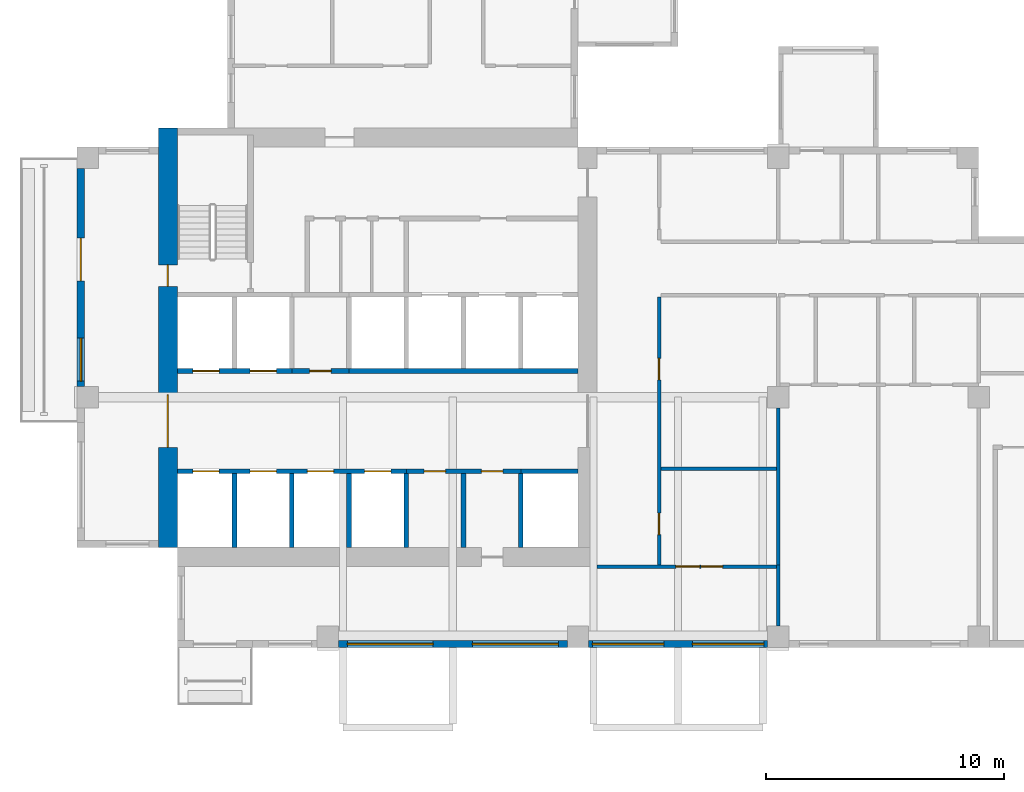
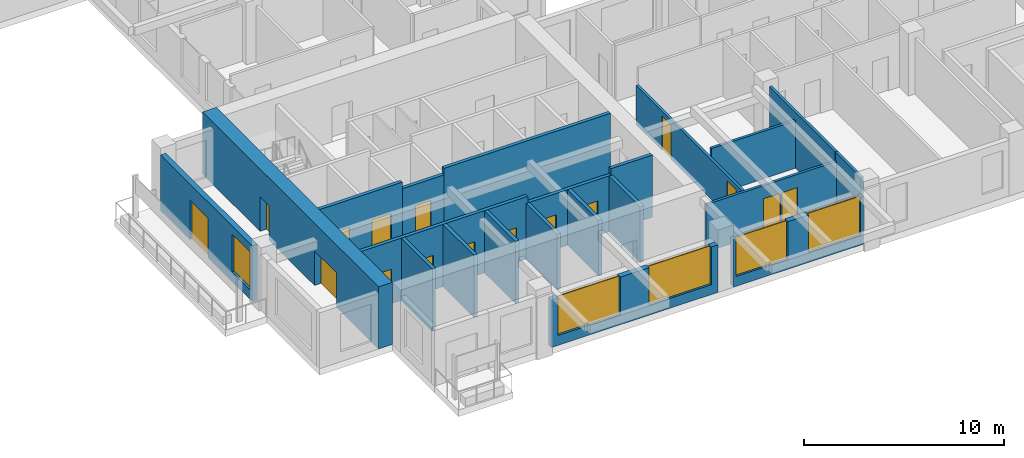
# One storey, part 2 of 12: 21 walls, 16 doors, 5 windows, 21 openings.
"""IFC4 building model written with IfcOpenShell, lengths in metres."""

from ifc_helpers import new_model, si_unit, direction, frame, frame_2d, origin, place, context, subcontext, project, spatial, rectangle, extrude, source, transform, mapped, material, layer, layer_set, type_object, element, fill, save


model = new_model("IFC4")

# Units and contexts
model_context = context("Model", 3, precision=1e-05, world=origin(), true_north=direction((0.0, 1.0)))
body_context = subcontext(model_context, "Body", "Model", "MODEL_VIEW")
ifc_project = project(units=[si_unit("LENGTHUNIT", "METRE"), si_unit("AREAUNIT", "SQUARE_METRE"), si_unit("VOLUMEUNIT", "CUBIC_METRE"), si_unit("PLANEANGLEUNIT", "RADIAN"), si_unit("MASSUNIT", "GRAM", prefix="KILO")], contexts=[model_context])

# Site, building, storey
site_placement = place(None, origin())
site = spatial("IfcSite", under=ifc_project, at=site_placement, CompositionType="ELEMENT")
building_placement = place(site_placement, origin())
building = spatial("IfcBuilding", under=site, at=building_placement, Name="Aurelian Terraces", CompositionType="ELEMENT")
storey_placement = place(building_placement, frame((0.0, 0.0, 215.8)))
storey = spatial("IfcBuildingStorey", under=building, at=storey_placement, Name="L48", CompositionType="ELEMENT", Elevation=215.8)

# Wall, openings, doors
ifc_material_1 = material(Name="Concrete fc' 70 MPa", Category="concrete")
ifc_layer_1 = layer(ifc_material_1, 0.8)
ifc_layer_set_1 = layer_set([ifc_layer_1], Name="CORE WALL 800 FC70")
wall_type_1 = type_object("IfcWallType", Name="CORE WALL 800 FC70", PredefinedType="SHEAR", material=ifc_layer_set_1)
shared_shape_1 = source(origin(), body_context, "Body", "SweptSolid", [
    extrude(rectangle(XDim=17.6, YDim=0.8, at=frame_2d((8.8, 0.0))), origin(), (0.0, 0.0, 1.0), 3.8),
])
wall_1_placement = place(storey_placement, frame((3.8, 4.2, 0.0), z_axis=(0.0, 0.0, 1.0), x_axis=(0.0, 1.0, 0.0)))
wall_1 = element("IfcWall", 1, at=wall_1_placement, inside=storey, type_object=wall_type_1, Name="Core wall W L48", PredefinedType="SHEAR", context=body_context, shape_type="MappedRepresentation", body=[
    mapped(shared_shape_1, transform((0.0, 0.0, 0.0), scale=1.0)),
])
shared_shape_2 = source(origin(), body_context, "Body", "SweptSolid", [
    extrude(rectangle(XDim=2.2, YDim=2.1, at=frame_2d((1.1, 1.05))), frame((0.0, 0.41, 0.0), z_axis=(0.0, -1.0, 0.0), x_axis=(1.0, 0.0, 0.0)), (0.0, 0.0, 1.0), 0.82),
])
opening_1_placement = place(wall_1_placement, frame((4.2, 0.0, 0.0)))
opening_1 = element("IfcOpeningElement", 2, at=opening_1_placement, cuts=wall_1, Name="Opening 65124", PredefinedType="OPENING", context=body_context, shape_type="MappedRepresentation", body=[
    mapped(shared_shape_2, transform((0.0, 0.0, 0.0), scale=1.0)),
])
shared_shape_3 = source(origin(), body_context, "Body", "SweptSolid", [
    extrude(rectangle(XDim=0.9, YDim=2.1, at=frame_2d((0.45, 1.05))), frame((0.0, 0.41, 0.0), z_axis=(0.0, -1.0, 0.0), x_axis=(1.0, 0.0, 0.0)), (0.0, 0.0, 1.0), 0.82),
])
opening_2_placement = place(wall_1_placement, frame((10.95, 0.0, 0.0)))
opening_2 = element("IfcOpeningElement", 3, at=opening_2_placement, cuts=wall_1, Name="Opening 65128", PredefinedType="OPENING", context=body_context, shape_type="MappedRepresentation", body=[
    mapped(shared_shape_3, transform((0.0, 0.0, 0.0), scale=1.0)),
])
ifc_material_2 = material(Name="Steel door leaf", Category="steel")
door_type_1 = type_object("IfcDoorType", Name="Core service door 900x2100", OperationType="SINGLE_SWING_LEFT", PredefinedType="DOOR", material=ifc_material_2)
shared_shape_4 = source(origin(), body_context, "Body", "SweptSolid", [
    extrude(rectangle(XDim=0.9, YDim=2.1, at=frame_2d((0.45, 1.05))), frame((0.0, 0.025, 0.0), z_axis=(0.0, -1.0, 0.0), x_axis=(1.0, 0.0, 0.0)), (0.0, 0.0, 1.0), 0.05),
])
door_1_placement = place(opening_2_placement, origin())
door_1 = element("IfcDoor", 4, at=door_1_placement, inside=storey, type_object=door_type_1, Name="Core door 65128", OperationType="SINGLE_SWING_LEFT", OverallHeight=2.1, OverallWidth=0.9, PredefinedType="DOOR", context=body_context, shape_type="MappedRepresentation", body=[
    mapped(shared_shape_4, transform((0.0, 0.0, 0.0), scale=1.0)),
])
fill(opening_2, door_1)
door_type_2 = type_object("IfcDoorType", Name="Core double door 2200x2100", OperationType="DOUBLE_DOOR_SINGLE_SWING", PredefinedType="DOOR", material=ifc_material_2)
shared_shape_5 = source(origin(), body_context, "Body", "SweptSolid", [
    extrude(rectangle(XDim=2.2, YDim=2.1, at=frame_2d((1.1, 1.05))), frame((0.0, 0.025, 0.0), z_axis=(0.0, -1.0, 0.0), x_axis=(1.0, 0.0, 0.0)), (0.0, 0.0, 1.0), 0.05),
])
door_2_placement = place(opening_1_placement, origin())
door_2 = element("IfcDoor", 5, at=door_2_placement, inside=storey, type_object=door_type_2, Name="Core door 65124", OperationType="DOUBLE_DOOR_SINGLE_SWING", OverallHeight=2.1, OverallWidth=2.2, PredefinedType="DOOR", context=body_context, shape_type="MappedRepresentation", body=[
    mapped(shared_shape_5, transform((0.0, 0.0, 0.0), scale=1.0)),
])
fill(opening_1, door_2)

# Wall, openings, door, window
ifc_material_3 = material(Name="Terracotta rainscreen cladding", Category="masonry")
ifc_layer_2 = layer(ifc_material_3, 0.3)
ifc_layer_set_2 = layer_set([ifc_layer_2], Name="EW-300")
wall_type_2 = type_object("IfcWallType", Name="EW-300", PredefinedType="STANDARD", material=ifc_layer_set_2)
shared_shape_6 = source(origin(), body_context, "Body", "SweptSolid", [
    extrude(rectangle(XDim=9.15, YDim=0.3, at=frame_2d((4.575, 0.0))), origin(), (0.0, 0.0, 1.0), 3.4),
])
wall_2_placement = place(storey_placement, frame((0.15, 20.1, 0.0), z_axis=(0.0, 0.0, 1.0), x_axis=(0.0, -1.0, 0.0)))
wall_2 = element("IfcWall", 6, at=wall_2_placement, inside=storey, type_object=wall_type_2, Name="External wall L48 F20.35", PredefinedType="STANDARD", context=body_context, shape_type="MappedRepresentation", body=[
    mapped(shared_shape_6, transform((0.0, 0.0, 0.0), scale=1.0)),
])
shared_shape_7 = source(origin(), body_context, "Body", "SweptSolid", [
    extrude(rectangle(XDim=1.8, YDim=2.4, at=frame_2d((0.9, 1.2))), frame((0.0, 0.16, 0.0), z_axis=(0.0, -1.0, 0.0), x_axis=(1.0, 0.0, 0.0)), (0.0, 0.0, 1.0), 0.32),
])
opening_3_placement = place(wall_2_placement, frame((2.925, 0.0, 0.0)))
opening_3 = element("IfcOpeningElement", 7, at=opening_3_placement, cuts=wall_2, Name="Opening 84804", PredefinedType="OPENING", context=body_context, shape_type="MappedRepresentation", body=[
    mapped(shared_shape_7, transform((0.0, 0.0, 0.0), scale=1.0)),
])
shared_shape_8 = source(origin(), body_context, "Body", "SweptSolid", [
    extrude(rectangle(XDim=1.8, YDim=2.3, at=frame_2d((0.9, 1.15))), frame((0.0, 0.16, 0.0), z_axis=(0.0, -1.0, 0.0), x_axis=(1.0, 0.0, 0.0)), (0.0, 0.0, 1.0), 0.32),
])
opening_4_placement = place(wall_2_placement, frame((7.125, 0.0, 0.6)))
opening_4 = element("IfcOpeningElement", 8, at=opening_4_placement, cuts=wall_2, Name="Opening W1823", PredefinedType="OPENING", context=body_context, shape_type="MappedRepresentation", body=[
    mapped(shared_shape_8, transform((0.0, 0.0, 0.0), scale=1.0)),
])
ifc_material_4 = material(Name="Clear glazing", Category="glass")
door_type_3 = type_object("IfcDoorType", Name="BD-1800x2400", OperationType="SLIDING_TO_LEFT", PredefinedType="DOOR", material=ifc_material_4)
shared_shape_9 = source(origin(), body_context, "Body", "SweptSolid", [
    extrude(rectangle(XDim=1.8, YDim=2.4, at=frame_2d((0.9, 1.2))), frame((0.0, 0.025, 0.0), z_axis=(0.0, -1.0, 0.0), x_axis=(1.0, 0.0, 0.0)), (0.0, 0.0, 1.0), 0.05),
])
door_3_placement = place(opening_3_placement, origin())
door_3 = element("IfcDoor", 9, at=door_3_placement, inside=storey, type_object=door_type_3, Name="Balcony door L48 F20.35", OperationType="SLIDING_TO_LEFT", OverallHeight=2.4, OverallWidth=1.8, PredefinedType="DOOR", context=body_context, shape_type="MappedRepresentation", body=[
    mapped(shared_shape_9, transform((0.0, 0.0, 0.0), scale=1.0)),
])
fill(opening_3, door_3)
window_type_1 = type_object("IfcWindowType", Name="W-1800x2300", PartitioningType="SINGLE_PANEL", PredefinedType="WINDOW", material=ifc_material_4)
shared_shape_10 = source(origin(), body_context, "Body", "SweptSolid", [
    extrude(rectangle(XDim=1.8, YDim=2.3, at=frame_2d((0.9, 1.15))), frame((0.0, 0.03, 0.0), z_axis=(0.0, -1.0, 0.0), x_axis=(1.0, 0.0, 0.0)), (0.0, 0.0, 1.0), 0.06),
])
window_1_placement = place(opening_4_placement, origin())
window_1 = element("IfcWindow", 10, at=window_1_placement, inside=storey, type_object=window_type_1, Name="Window L48 L48-F20-35-2", OverallHeight=2.3, OverallWidth=1.8, PartitioningType="SINGLE_PANEL", PredefinedType="WINDOW", context=body_context, shape_type="MappedRepresentation", body=[
    mapped(shared_shape_10, transform((0.0, 0.0, 0.0), scale=1.0)),
])
fill(opening_4, window_1)

# Wall, openings, windows
shared_shape_11 = source(origin(), body_context, "Body", "SweptSolid", [
    extrude(rectangle(XDim=7.5, YDim=0.3, at=frame_2d((3.75, 0.0))), origin(), (0.0, 0.0, 1.0), 2.9),
])
wall_3_placement = place(storey_placement, frame((21.45, 0.15, 0.0), z_axis=(0.0, 0.0, 1.0), x_axis=(1.0, 0.0, 0.0)))
wall_3 = element("IfcWall", 11, at=wall_3_placement, inside=storey, type_object=wall_type_2, Name="External wall L48 F01.4", PredefinedType="STANDARD", context=body_context, shape_type="MappedRepresentation", body=[
    mapped(shared_shape_11, transform((0.0, 0.0, 0.0), scale=1.0)),
])
shared_shape_12 = source(origin(), body_context, "Body", "SweptSolid", [
    extrude(rectangle(XDim=3.0, YDim=2.3, at=frame_2d((1.5, 1.15))), frame((0.0, 0.16, 0.0), z_axis=(0.0, -1.0, 0.0), x_axis=(1.0, 0.0, 0.0)), (0.0, 0.0, 1.0), 0.32),
])
opening_5_placement = place(wall_3_placement, frame((0.15, 0.0, 0.6)))
opening_5 = element("IfcOpeningElement", 12, at=opening_5_placement, cuts=wall_3, Name="Opening W3023", PredefinedType="OPENING", context=body_context, shape_type="MappedRepresentation", body=[
    mapped(shared_shape_12, transform((0.0, 0.0, 0.0), scale=1.0)),
])
opening_6_placement = place(wall_3_placement, frame((4.35, 0.0, 0.6)))
opening_6 = element("IfcOpeningElement", 13, at=opening_6_placement, cuts=wall_3, Name="Opening W3023", PredefinedType="OPENING", context=body_context, shape_type="MappedRepresentation", body=[
    mapped(shared_shape_12, transform((0.0, 0.0, 0.0), scale=1.0)),
])
window_type_2 = type_object("IfcWindowType", Name="W-3000x2300", PartitioningType="SINGLE_PANEL", PredefinedType="WINDOW", material=ifc_material_4)
shared_shape_13 = source(origin(), body_context, "Body", "SweptSolid", [
    extrude(rectangle(XDim=3.0, YDim=2.3, at=frame_2d((1.5, 1.15))), frame((0.0, 0.03, 0.0), z_axis=(0.0, -1.0, 0.0), x_axis=(1.0, 0.0, 0.0)), (0.0, 0.0, 1.0), 0.06),
])
window_2_placement = place(opening_5_placement, origin())
window_2 = element("IfcWindow", 14, at=window_2_placement, inside=storey, type_object=window_type_2, Name="Window L48 L48-F01-04-0", OverallHeight=2.3, OverallWidth=3.0, PartitioningType="SINGLE_PANEL", PredefinedType="WINDOW", context=body_context, shape_type="MappedRepresentation", body=[
    mapped(shared_shape_13, transform((0.0, 0.0, 0.0), scale=1.0)),
])
fill(opening_5, window_2)
window_3_placement = place(opening_6_placement, origin())
window_3 = element("IfcWindow", 15, at=window_3_placement, inside=storey, type_object=window_type_2, Name="Window L48 L48-F01-04-1", OverallHeight=2.3, OverallWidth=3.0, PartitioningType="SINGLE_PANEL", PredefinedType="WINDOW", context=body_context, shape_type="MappedRepresentation", body=[
    mapped(shared_shape_13, transform((0.0, 0.0, 0.0), scale=1.0)),
])
fill(opening_6, window_3)

shared_shape_14 = source(origin(), body_context, "Body", "SweptSolid", [
    extrude(rectangle(XDim=9.6, YDim=0.3, at=frame_2d((4.8, 0.0))), origin(), (0.0, 0.0, 1.0), 2.9),
])
wall_4_placement = place(storey_placement, frame((10.95, 0.15, 0.0), z_axis=(0.0, 0.0, 1.0), x_axis=(1.0, 0.0, 0.0)))
wall_4 = element("IfcWall", 16, at=wall_4_placement, inside=storey, type_object=wall_type_2, Name="External wall L48 F01.3", PredefinedType="STANDARD", context=body_context, shape_type="MappedRepresentation", body=[
    mapped(shared_shape_14, transform((0.0, 0.0, 0.0), scale=1.0)),
])
shared_shape_15 = source(origin(), body_context, "Body", "SweptSolid", [
    extrude(rectangle(XDim=3.6, YDim=2.3, at=frame_2d((1.8, 1.15))), frame((0.0, 0.16, 0.0), z_axis=(0.0, -1.0, 0.0), x_axis=(1.0, 0.0, 0.0)), (0.0, 0.0, 1.0), 0.32),
])
opening_7_placement = place(wall_4_placement, frame((0.375, 0.0, 0.6)))
opening_7 = element("IfcOpeningElement", 17, at=opening_7_placement, cuts=wall_4, Name="Opening W3623", PredefinedType="OPENING", context=body_context, shape_type="MappedRepresentation", body=[
    mapped(shared_shape_15, transform((0.0, 0.0, 0.0), scale=1.0)),
])
opening_8_placement = place(wall_4_placement, frame((5.625, 0.0, 0.6)))
opening_8 = element("IfcOpeningElement", 18, at=opening_8_placement, cuts=wall_4, Name="Opening W3623", PredefinedType="OPENING", context=body_context, shape_type="MappedRepresentation", body=[
    mapped(shared_shape_15, transform((0.0, 0.0, 0.0), scale=1.0)),
])
window_type_3 = type_object("IfcWindowType", Name="W-3600x2300", PartitioningType="SINGLE_PANEL", PredefinedType="WINDOW", material=ifc_material_4)
shared_shape_16 = source(origin(), body_context, "Body", "SweptSolid", [
    extrude(rectangle(XDim=3.6, YDim=2.3, at=frame_2d((1.8, 1.15))), frame((0.0, 0.03, 0.0), z_axis=(0.0, -1.0, 0.0), x_axis=(1.0, 0.0, 0.0)), (0.0, 0.0, 1.0), 0.06),
])
window_4_placement = place(opening_7_placement, origin())
window_4 = element("IfcWindow", 19, at=window_4_placement, inside=storey, type_object=window_type_3, Name="Window L48 L48-F01-03-0", OverallHeight=2.3, OverallWidth=3.6, PartitioningType="SINGLE_PANEL", PredefinedType="WINDOW", context=body_context, shape_type="MappedRepresentation", body=[
    mapped(shared_shape_16, transform((0.0, 0.0, 0.0), scale=1.0)),
])
fill(opening_7, window_4)
window_5_placement = place(opening_8_placement, origin())
window_5 = element("IfcWindow", 20, at=window_5_placement, inside=storey, type_object=window_type_3, Name="Window L48 L48-F01-03-1", OverallHeight=2.3, OverallWidth=3.6, PartitioningType="SINGLE_PANEL", PredefinedType="WINDOW", context=body_context, shape_type="MappedRepresentation", body=[
    mapped(shared_shape_16, transform((0.0, 0.0, 0.0), scale=1.0)),
])
fill(opening_8, window_5)

# Walls
ifc_material_5 = material(Name="Concrete fc' 40 MPa", Category="concrete")
ifc_layer_3 = layer(ifc_material_5, 0.2)
ifc_layer_set_3 = layer_set([ifc_layer_3], Name="Lift shaft wall 200")
wall_type_3 = type_object("IfcWallType", Name="Lift shaft wall 200", PredefinedType="SOLIDWALL", material=ifc_layer_set_3)
shared_shape_17 = source(origin(), body_context, "Body", "SweptSolid", [
    extrude(rectangle(XDim=3.1, YDim=0.2, at=frame_2d((1.55, 0.0))), origin(), (0.0, 0.0, 1.0), 3.8),
])
for number, where, z_axis, x_axis, name in (
    (21, (6.6, 4.2, 0.0), (0.0, 0.0, 1.0), (0.0, 1.0, 0.0), "L48 core wall CD-A1"),
    (22, (9.0, 4.2, 0.0), (0.0, 0.0, 1.0), (0.0, 1.0, 0.0), "L48 core wall CD-A2"),
    (23, (11.4, 4.2, 0.0), (0.0, 0.0, 1.0), (0.0, 1.0, 0.0), "L48 core wall CD-A3"),
):
    element("IfcWall", number, at=place(storey_placement, frame(where, z_axis=z_axis, x_axis=x_axis)), inside=storey, type_object=wall_type_3, Name=name, PredefinedType="SOLIDWALL", context=body_context, shape_type="MappedRepresentation", body=[
        mapped(shared_shape_17, transform((0.0, 0.0, 0.0), scale=1.0)),
    ])
shared_shape_18 = source(origin(), body_context, "Body", "SweptSolid", [
    extrude(rectangle(XDim=3.1, YDim=0.2, at=frame_2d((1.55, 0.0))), origin(), (0.0, 0.0, 1.0), 3.4),
])
for number, where, z_axis, x_axis, name in (
    (24, (13.8, 4.2, 0.0), (0.0, 0.0, 1.0), (0.0, 1.0, 0.0), "L48 core wall CD-A4"),
    (25, (18.6, 4.2, 0.0), (0.0, 0.0, 1.0), (0.0, 1.0, 0.0), "L48 core wall CD-A6"),
):
    element("IfcWall", number, at=place(storey_placement, frame(where, z_axis=z_axis, x_axis=x_axis)), inside=storey, type_object=wall_type_3, Name=name, PredefinedType="SOLIDWALL", context=body_context, shape_type="MappedRepresentation", body=[
        mapped(shared_shape_18, transform((0.0, 0.0, 0.0), scale=1.0)),
    ])

# Wall, openings, doors
shared_shape_19 = source(origin(), body_context, "Body", "SweptSolid", [
    extrude(rectangle(XDim=9.6, YDim=0.2, at=frame_2d((4.8, 0.0))), origin(), (0.0, 0.0, 1.0), 3.8),
])
wall_5_placement = place(storey_placement, frame((4.2, 7.4, 0.0), z_axis=(0.0, 0.0, 1.0), x_axis=(1.0, 0.0, 0.0)))
wall_5 = element("IfcWall", 26, at=wall_5_placement, inside=storey, type_object=wall_type_3, Name="L48 core wall CF-AF1", PredefinedType="SOLIDWALL", context=body_context, shape_type="MappedRepresentation", body=[
    mapped(shared_shape_19, transform((0.0, 0.0, 0.0), scale=1.0)),
])
shared_shape_20 = source(origin(), body_context, "Body", "SweptSolid", [
    extrude(rectangle(XDim=1.1, YDim=2.1, at=frame_2d((0.55, 1.05))), frame((0.0, 0.11, 0.0), z_axis=(0.0, -1.0, 0.0), x_axis=(1.0, 0.0, 0.0)), (0.0, 0.0, 1.0), 0.22),
])
opening_9_placement = place(wall_5_placement, frame((0.65, 0.0, 0.0)))
opening_9 = element("IfcOpeningElement", 27, at=opening_9_placement, cuts=wall_5, Name="Opening 65100", PredefinedType="OPENING", context=body_context, shape_type="MappedRepresentation", body=[
    mapped(shared_shape_20, transform((0.0, 0.0, 0.0), scale=1.0)),
])
opening_10_placement = place(wall_5_placement, frame((3.05, 0.0, 0.0)))
opening_10 = element("IfcOpeningElement", 28, at=opening_10_placement, cuts=wall_5, Name="Opening 65101", PredefinedType="OPENING", context=body_context, shape_type="MappedRepresentation", body=[
    mapped(shared_shape_20, transform((0.0, 0.0, 0.0), scale=1.0)),
])
opening_11_placement = place(wall_5_placement, frame((5.45, 0.0, 0.0)))
opening_11 = element("IfcOpeningElement", 29, at=opening_11_placement, cuts=wall_5, Name="Opening 65102", PredefinedType="OPENING", context=body_context, shape_type="MappedRepresentation", body=[
    mapped(shared_shape_20, transform((0.0, 0.0, 0.0), scale=1.0)),
])
opening_12_placement = place(wall_5_placement, frame((7.85, 0.0, 0.0)))
opening_12 = element("IfcOpeningElement", 30, at=opening_12_placement, cuts=wall_5, Name="Opening 65103", PredefinedType="OPENING", context=body_context, shape_type="MappedRepresentation", body=[
    mapped(shared_shape_20, transform((0.0, 0.0, 0.0), scale=1.0)),
])
ifc_material_6 = material(Name="Stainless steel", Category="steel")
door_type_4 = type_object("IfcDoorType", Name="Lift landing door 1100x2100", OperationType="SLIDING_TO_LEFT", PredefinedType="DOOR", material=ifc_material_6)
shared_shape_21 = source(origin(), body_context, "Body", "SweptSolid", [
    extrude(rectangle(XDim=1.1, YDim=2.1, at=frame_2d((0.55, 1.05))), frame((0.0, 0.025, 0.0), z_axis=(0.0, -1.0, 0.0), x_axis=(1.0, 0.0, 0.0)), (0.0, 0.0, 1.0), 0.05),
])
door_4_placement = place(opening_9_placement, origin())
door_4 = element("IfcDoor", 31, at=door_4_placement, inside=storey, type_object=door_type_4, Name="Lift landing door LM1 L48", OperationType="SLIDING_TO_LEFT", OverallHeight=2.1, OverallWidth=1.1, PredefinedType="DOOR", context=body_context, shape_type="MappedRepresentation", body=[
    mapped(shared_shape_21, transform((0.0, 0.0, 0.0), scale=1.0)),
])
fill(opening_9, door_4)
door_5_placement = place(opening_10_placement, origin())
door_5 = element("IfcDoor", 32, at=door_5_placement, inside=storey, type_object=door_type_4, Name="Lift landing door LM2 L48", OperationType="SLIDING_TO_LEFT", OverallHeight=2.1, OverallWidth=1.1, PredefinedType="DOOR", context=body_context, shape_type="MappedRepresentation", body=[
    mapped(shared_shape_21, transform((0.0, 0.0, 0.0), scale=1.0)),
])
fill(opening_10, door_5)
door_6_placement = place(opening_11_placement, origin())
door_6 = element("IfcDoor", 33, at=door_6_placement, inside=storey, type_object=door_type_4, Name="Lift landing door LM3 L48", OperationType="SLIDING_TO_LEFT", OverallHeight=2.1, OverallWidth=1.1, PredefinedType="DOOR", context=body_context, shape_type="MappedRepresentation", body=[
    mapped(shared_shape_21, transform((0.0, 0.0, 0.0), scale=1.0)),
])
fill(opening_11, door_6)
door_7_placement = place(opening_12_placement, origin())
door_7 = element("IfcDoor", 34, at=door_7_placement, inside=storey, type_object=door_type_4, Name="Lift landing door LM4 L48", OperationType="SLIDING_TO_LEFT", OverallHeight=2.1, OverallWidth=1.1, PredefinedType="DOOR", context=body_context, shape_type="MappedRepresentation", body=[
    mapped(shared_shape_21, transform((0.0, 0.0, 0.0), scale=1.0)),
])
fill(opening_12, door_7)

# Wall
wall_6_placement = place(storey_placement, frame((11.4, 11.6, 0.0), z_axis=(0.0, 0.0, 1.0), x_axis=(1.0, 0.0, 0.0)))
element("IfcWall", 35, at=wall_6_placement, inside=storey, type_object=wall_type_3, Name="L48 core wall CF-BF3", PredefinedType="SOLIDWALL", context=body_context, shape_type="MappedRepresentation", body=[
    mapped(shared_shape_19, transform((0.0, 0.0, 0.0), scale=1.0)),
])

# Wall, openings, doors
shared_shape_22 = source(origin(), body_context, "Body", "SweptSolid", [
    extrude(rectangle(XDim=4.8, YDim=0.2, at=frame_2d((2.4, 0.0))), origin(), (0.0, 0.0, 1.0), 3.8),
])
wall_7_placement = place(storey_placement, frame((4.2, 11.6, 0.0), z_axis=(0.0, 0.0, 1.0), x_axis=(1.0, 0.0, 0.0)))
wall_7 = element("IfcWall", 36, at=wall_7_placement, inside=storey, type_object=wall_type_3, Name="L48 core wall CF-BF1", PredefinedType="SOLIDWALL", context=body_context, shape_type="MappedRepresentation", body=[
    mapped(shared_shape_22, transform((0.0, 0.0, 0.0), scale=1.0)),
])
opening_13_placement = place(wall_7_placement, frame((0.65, 0.0, 0.0)))
opening_13 = element("IfcOpeningElement", 37, at=opening_13_placement, cuts=wall_7, Name="Opening 65106", PredefinedType="OPENING", context=body_context, shape_type="MappedRepresentation", body=[
    mapped(shared_shape_20, transform((0.0, 0.0, 0.0), scale=1.0)),
])
opening_14_placement = place(wall_7_placement, frame((3.05, 0.0, 0.0)))
opening_14 = element("IfcOpeningElement", 38, at=opening_14_placement, cuts=wall_7, Name="Opening 65107", PredefinedType="OPENING", context=body_context, shape_type="MappedRepresentation", body=[
    mapped(shared_shape_20, transform((0.0, 0.0, 0.0), scale=1.0)),
])
door_8_placement = place(opening_13_placement, origin())
door_8 = element("IfcDoor", 39, at=door_8_placement, inside=storey, type_object=door_type_4, Name="Lift landing door LM5 L48", OperationType="SLIDING_TO_LEFT", OverallHeight=2.1, OverallWidth=1.1, PredefinedType="DOOR", context=body_context, shape_type="MappedRepresentation", body=[
    mapped(shared_shape_21, transform((0.0, 0.0, 0.0), scale=1.0)),
])
fill(opening_13, door_8)
door_9_placement = place(opening_14_placement, origin())
door_9 = element("IfcDoor", 40, at=door_9_placement, inside=storey, type_object=door_type_4, Name="Lift landing door LM6 L48", OperationType="SLIDING_TO_LEFT", OverallHeight=2.1, OverallWidth=1.1, PredefinedType="DOOR", context=body_context, shape_type="MappedRepresentation", body=[
    mapped(shared_shape_21, transform((0.0, 0.0, 0.0), scale=1.0)),
])
fill(opening_14, door_9)

# Wall, opening, door
shared_shape_23 = source(origin(), body_context, "Body", "SweptSolid", [
    extrude(rectangle(XDim=2.4, YDim=0.2, at=frame_2d((1.2, 0.0))), origin(), (0.0, 0.0, 1.0), 3.4),
])
wall_8_placement = place(storey_placement, frame((9.0, 11.6, 0.0), z_axis=(0.0, 0.0, 1.0), x_axis=(1.0, 0.0, 0.0)))
wall_8 = element("IfcWall", 41, at=wall_8_placement, inside=storey, type_object=wall_type_3, Name="L48 core wall CF-BF2", PredefinedType="SOLIDWALL", context=body_context, shape_type="MappedRepresentation", body=[
    mapped(shared_shape_23, transform((0.0, 0.0, 0.0), scale=1.0)),
])
shared_shape_24 = source(origin(), body_context, "Body", "SweptSolid", [
    extrude(rectangle(XDim=0.9, YDim=2.1, at=frame_2d((0.45, 1.05))), frame((0.0, 0.11, 0.0), z_axis=(0.0, -1.0, 0.0), x_axis=(1.0, 0.0, 0.0)), (0.0, 0.0, 1.0), 0.22),
])
opening_15_placement = place(wall_8_placement, frame((0.75, 0.0, 0.0)))
opening_15 = element("IfcOpeningElement", 42, at=opening_15_placement, cuts=wall_8, Name="Opening 65108", PredefinedType="OPENING", context=body_context, shape_type="MappedRepresentation", body=[
    mapped(shared_shape_24, transform((0.0, 0.0, 0.0), scale=1.0)),
])
door_type_5 = type_object("IfcDoorType", Name="Core service door 900x2100 right", OperationType="SINGLE_SWING_RIGHT", PredefinedType="DOOR", material=ifc_material_2)
door_10_placement = place(opening_15_placement, origin())
door_10 = element("IfcDoor", 43, at=door_10_placement, inside=storey, type_object=door_type_5, Name="Room door 65108", OperationType="SINGLE_SWING_RIGHT", OverallHeight=2.1, OverallWidth=0.9, PredefinedType="DOOR", context=body_context, shape_type="MappedRepresentation", body=[
    mapped(shared_shape_4, transform((0.0, 0.0, 0.0), scale=1.0)),
])
fill(opening_15, door_10)

# Wall, openings, doors
shared_shape_25 = source(origin(), body_context, "Body", "SweptSolid", [
    extrude(rectangle(XDim=4.8, YDim=0.2, at=frame_2d((2.4, 0.0))), origin(), (0.0, 0.0, 1.0), 3.4),
])
wall_9_placement = place(storey_placement, frame((13.8, 7.4, 0.0), z_axis=(0.0, 0.0, 1.0), x_axis=(1.0, 0.0, 0.0)))
wall_9 = element("IfcWall", 44, at=wall_9_placement, inside=storey, type_object=wall_type_3, Name="L48 core wall CF-AF2", PredefinedType="SOLIDWALL", context=body_context, shape_type="MappedRepresentation", body=[
    mapped(shared_shape_25, transform((0.0, 0.0, 0.0), scale=1.0)),
])
opening_16_placement = place(wall_9_placement, frame((0.75, 0.0, 0.0)))
opening_16 = element("IfcOpeningElement", 45, at=opening_16_placement, cuts=wall_9, Name="Opening 65104", PredefinedType="OPENING", context=body_context, shape_type="MappedRepresentation", body=[
    mapped(shared_shape_24, transform((0.0, 0.0, 0.0), scale=1.0)),
])
opening_17_placement = place(wall_9_placement, frame((3.15, 0.0, 0.0)))
opening_17 = element("IfcOpeningElement", 46, at=opening_17_placement, cuts=wall_9, Name="Opening 65105", PredefinedType="OPENING", context=body_context, shape_type="MappedRepresentation", body=[
    mapped(shared_shape_24, transform((0.0, 0.0, 0.0), scale=1.0)),
])
door_11_placement = place(opening_16_placement, origin())
door_11 = element("IfcDoor", 47, at=door_11_placement, inside=storey, type_object=door_type_5, Name="Room door 65104", OperationType="SINGLE_SWING_RIGHT", OverallHeight=2.1, OverallWidth=0.9, PredefinedType="DOOR", context=body_context, shape_type="MappedRepresentation", body=[
    mapped(shared_shape_4, transform((0.0, 0.0, 0.0), scale=1.0)),
])
fill(opening_16, door_11)
door_12_placement = place(opening_17_placement, origin())
door_12 = element("IfcDoor", 48, at=door_12_placement, inside=storey, type_object=door_type_1, Name="Room door 65105", OperationType="SINGLE_SWING_LEFT", OverallHeight=2.1, OverallWidth=0.9, PredefinedType="DOOR", context=body_context, shape_type="MappedRepresentation", body=[
    mapped(shared_shape_4, transform((0.0, 0.0, 0.0), scale=1.0)),
])
fill(opening_17, door_12)

# Walls
shared_shape_26 = source(origin(), body_context, "Body", "SweptSolid", [
    extrude(rectangle(XDim=2.4, YDim=0.2, at=frame_2d((1.2, 0.0))), origin(), (0.0, 0.0, 1.0), 3.8),
])
wall_10_placement = place(storey_placement, frame((18.6, 7.4, 0.0), z_axis=(0.0, 0.0, 1.0), x_axis=(1.0, 0.0, 0.0)))
element("IfcWall", 49, at=wall_10_placement, inside=storey, type_object=wall_type_3, Name="L48 core wall CF-AF3", PredefinedType="SOLIDWALL", context=body_context, shape_type="MappedRepresentation", body=[
    mapped(shared_shape_26, transform((0.0, 0.0, 0.0), scale=1.0)),
])
ifc_material_7 = material(Name="Gypsum board on steel studs", Category="steel")
ifc_layer_4 = layer(ifc_material_7, 0.2)
ifc_layer_set_4 = layer_set([ifc_layer_4], Name="Core partition 200")
wall_type_4 = type_object("IfcWallType", Name="Core partition 200", PredefinedType="PARTITIONING", material=ifc_layer_set_4)
shared_shape_27 = source(origin(), body_context, "Body", "SweptSolid", [
    extrude(rectangle(XDim=3.1, YDim=0.2, at=frame_2d((1.55, 0.0))), origin(), (0.0, 0.0, 1.0), 3.4),
])
wall_11_placement = place(storey_placement, frame((16.2, 4.2, 0.0), z_axis=(0.0, 0.0, 1.0), x_axis=(0.0, 1.0, 0.0)))
element("IfcWall", 50, at=wall_11_placement, inside=storey, type_object=wall_type_4, Name="L48 core wall CS-A5", PredefinedType="PARTITIONING", context=body_context, shape_type="MappedRepresentation", body=[
    mapped(shared_shape_27, transform((0.0, 0.0, 0.0), scale=1.0)),
])
ifc_layer_5 = layer(ifc_material_7, 0.15)
ifc_layer_set_5 = layer_set([ifc_layer_5], Name="Partition 150")
wall_type_5 = type_object("IfcWallType", Name="Partition 150", PredefinedType="PARTITIONING", material=ifc_layer_set_5)
shared_shape_28 = source(origin(), body_context, "Body", "SweptSolid", [
    extrude(rectangle(XDim=6.576, YDim=0.15, at=frame_2d((3.288, 0.0))), origin(), (0.0, 0.0, 1.0), 3.4),
])
wall_12_placement = place(storey_placement, frame((29.4, 3.475, 0.0), z_axis=(0.0, 0.0, 1.0), x_axis=(0.0, 1.0, 0.0)))
element("IfcWall", 51, at=wall_12_placement, inside=storey, type_object=wall_type_5, Name="Partition", PredefinedType="PARTITIONING", context=body_context, shape_type="MappedRepresentation", body=[
    mapped(shared_shape_28, transform((0.0, 0.0, 0.0), scale=1.0)),
])
ifc_layer_6 = layer(ifc_material_7, 0.15)
ifc_layer_set_6 = layer_set([ifc_layer_6], Name="Fire partition 150")
wall_type_6 = type_object("IfcWallType", Name="Fire partition 150", PredefinedType="PARTITIONING", material=ifc_layer_set_6)
shared_shape_29 = source(origin(), body_context, "Body", "SweptSolid", [
    extrude(rectangle(XDim=2.556, YDim=0.15, at=frame_2d((1.278, 0.0))), origin(), (0.0, 0.0, 1.0), 3.4),
])
wall_13_placement = place(storey_placement, frame((29.4, 0.899, 0.0), z_axis=(0.0, 0.0, 1.0), x_axis=(0.0, 1.0, 0.0)))
element("IfcWall", 52, at=wall_13_placement, inside=storey, type_object=wall_type_6, Name="Party wall", PredefinedType="PARTITIONING", context=body_context, shape_type="MappedRepresentation", body=[
    mapped(shared_shape_29, transform((0.0, 0.0, 0.0), scale=1.0)),
])

# Wall, openings, doors
shared_shape_30 = source(origin(), body_context, "Body", "SweptSolid", [
    extrude(rectangle(XDim=7.525, YDim=0.15, at=frame_2d((3.7625, 0.0))), origin(), (0.0, 0.0, 1.0), 2.9),
])
wall_14_placement = place(storey_placement, frame((21.8, 3.4, 0.0), z_axis=(0.0, 0.0, 1.0), x_axis=(1.0, 0.0, 0.0)))
wall_14 = element("IfcWall", 53, at=wall_14_placement, inside=storey, type_object=wall_type_5, Name="Partition", PredefinedType="PARTITIONING", context=body_context, shape_type="MappedRepresentation", body=[
    mapped(shared_shape_30, transform((0.0, 0.0, 0.0), scale=1.0)),
])
shared_shape_31 = source(origin(), body_context, "Body", "SweptSolid", [
    extrude(rectangle(XDim=1.0, YDim=2.1, at=frame_2d((0.5, 1.05))), frame((0.0, 0.085, 0.0), z_axis=(0.0, -1.0, 0.0), x_axis=(1.0, 0.0, 0.0)), (0.0, 0.0, 1.0), 0.17),
])
opening_18_placement = place(wall_14_placement, frame((3.3, 0.0, 0.0)))
opening_18 = element("IfcOpeningElement", 54, at=opening_18_placement, cuts=wall_14, Name="Opening 748004", PredefinedType="OPENING", context=body_context, shape_type="MappedRepresentation", body=[
    mapped(shared_shape_31, transform((0.0, 0.0, 0.0), scale=1.0)),
])
shared_shape_32 = source(origin(), body_context, "Body", "SweptSolid", [
    extrude(rectangle(XDim=0.9, YDim=2.1, at=frame_2d((0.45, 1.05))), frame((0.0, 0.085, 0.0), z_axis=(0.0, -1.0, 0.0), x_axis=(1.0, 0.0, 0.0)), (0.0, 0.0, 1.0), 0.17),
])
opening_19_placement = place(wall_14_placement, frame((4.363, 0.0, 0.0)))
opening_19 = element("IfcOpeningElement", 55, at=opening_19_placement, cuts=wall_14, Name="Opening 748041", PredefinedType="OPENING", context=body_context, shape_type="MappedRepresentation", body=[
    mapped(shared_shape_32, transform((0.0, 0.0, 0.0), scale=1.0)),
])
ifc_material_8 = material(Name="Timber door leaf", Category="wood")
door_type_6 = type_object("IfcDoorType", Name="Room door 1000x2100 left", OperationType="SINGLE_SWING_LEFT", PredefinedType="DOOR", material=ifc_material_8)
shared_shape_33 = source(origin(), body_context, "Body", "SweptSolid", [
    extrude(rectangle(XDim=1.0, YDim=2.1, at=frame_2d((0.5, 1.05))), frame((0.0, 0.025, 0.0), z_axis=(0.0, -1.0, 0.0), x_axis=(1.0, 0.0, 0.0)), (0.0, 0.0, 1.0), 0.05),
])
door_13_placement = place(opening_18_placement, origin())
door_13 = element("IfcDoor", 56, at=door_13_placement, inside=storey, type_object=door_type_6, Name="Door 748004", OperationType="SINGLE_SWING_LEFT", OverallHeight=2.1, OverallWidth=1.0, PredefinedType="DOOR", context=body_context, shape_type="MappedRepresentation", body=[
    mapped(shared_shape_33, transform((0.0, 0.0, 0.0), scale=1.0)),
])
fill(opening_18, door_13)
door_type_7 = type_object("IfcDoorType", Name="Room door 900x2100 left", OperationType="SINGLE_SWING_LEFT", PredefinedType="DOOR", material=ifc_material_8)
door_14_placement = place(opening_19_placement, origin())
door_14 = element("IfcDoor", 57, at=door_14_placement, inside=storey, type_object=door_type_7, Name="Door 748041", OperationType="SINGLE_SWING_LEFT", OverallHeight=2.1, OverallWidth=0.9, PredefinedType="DOOR", context=body_context, shape_type="MappedRepresentation", body=[
    mapped(shared_shape_4, transform((0.0, 0.0, 0.0), scale=1.0)),
])
fill(opening_19, door_14)

# Wall
shared_shape_34 = source(origin(), body_context, "Body", "SweptSolid", [
    extrude(rectangle(XDim=4.85, YDim=0.15, at=frame_2d((2.425, 0.0))), origin(), (0.0, 0.0, 1.0), 2.9),
])
wall_15_placement = place(storey_placement, frame((29.325, 7.5, 0.0), z_axis=(0.0, 0.0, 1.0), x_axis=(-1.0, 0.0, 0.0)))
element("IfcWall", 58, at=wall_15_placement, inside=storey, type_object=wall_type_5, Name="Partition", PredefinedType="PARTITIONING", context=body_context, shape_type="MappedRepresentation", body=[
    mapped(shared_shape_34, transform((0.0, 0.0, 0.0), scale=1.0)),
])

# Wall, openings, doors
shared_shape_35 = source(origin(), body_context, "Body", "SweptSolid", [
    extrude(rectangle(XDim=11.225, YDim=0.15, at=frame_2d((5.6125, 0.0))), origin(), (0.0, 0.0, 1.0), 2.4),
])
wall_16_placement = place(storey_placement, frame((24.4, 14.7, 0.0), z_axis=(0.0, 0.0, 1.0), x_axis=(0.0, -1.0, 0.0)))
wall_16 = element("IfcWall", 59, at=wall_16_placement, inside=storey, type_object=wall_type_5, Name="Partition", PredefinedType="PARTITIONING", context=body_context, shape_type="MappedRepresentation", body=[
    mapped(shared_shape_35, transform((0.0, 0.0, 0.0), scale=1.0)),
])
opening_20_placement = place(wall_16_placement, frame((9.0625, 0.0, 0.0)))
opening_20 = element("IfcOpeningElement", 60, at=opening_20_placement, cuts=wall_16, Name="Opening 748001", PredefinedType="OPENING", context=body_context, shape_type="MappedRepresentation", body=[
    mapped(shared_shape_32, transform((0.0, 0.0, 0.0), scale=1.0)),
])
opening_21_placement = place(wall_16_placement, frame((2.575, 0.0, 0.0)))
opening_21 = element("IfcOpeningElement", 61, at=opening_21_placement, cuts=wall_16, Name="Opening 748002", PredefinedType="OPENING", context=body_context, shape_type="MappedRepresentation", body=[
    mapped(shared_shape_32, transform((0.0, 0.0, 0.0), scale=1.0)),
])
door_type_8 = type_object("IfcDoorType", Name="Room door 900x2100 right", OperationType="SINGLE_SWING_RIGHT", PredefinedType="DOOR", material=ifc_material_8)
door_15_placement = place(opening_20_placement, origin())
door_15 = element("IfcDoor", 62, at=door_15_placement, inside=storey, type_object=door_type_8, Name="Door 748001", OperationType="SINGLE_SWING_RIGHT", OverallHeight=2.1, OverallWidth=0.9, PredefinedType="DOOR", context=body_context, shape_type="MappedRepresentation", body=[
    mapped(shared_shape_4, transform((0.0, 0.0, 0.0), scale=1.0)),
])
fill(opening_20, door_15)
door_16_placement = place(opening_21_placement, origin())
door_16 = element("IfcDoor", 63, at=door_16_placement, inside=storey, type_object=door_type_7, Name="Door 748002", OperationType="SINGLE_SWING_LEFT", OverallHeight=2.1, OverallWidth=0.9, PredefinedType="DOOR", context=body_context, shape_type="MappedRepresentation", body=[
    mapped(shared_shape_4, transform((0.0, 0.0, 0.0), scale=1.0)),
])
fill(opening_21, door_16)

save(model, "model.ifc")
